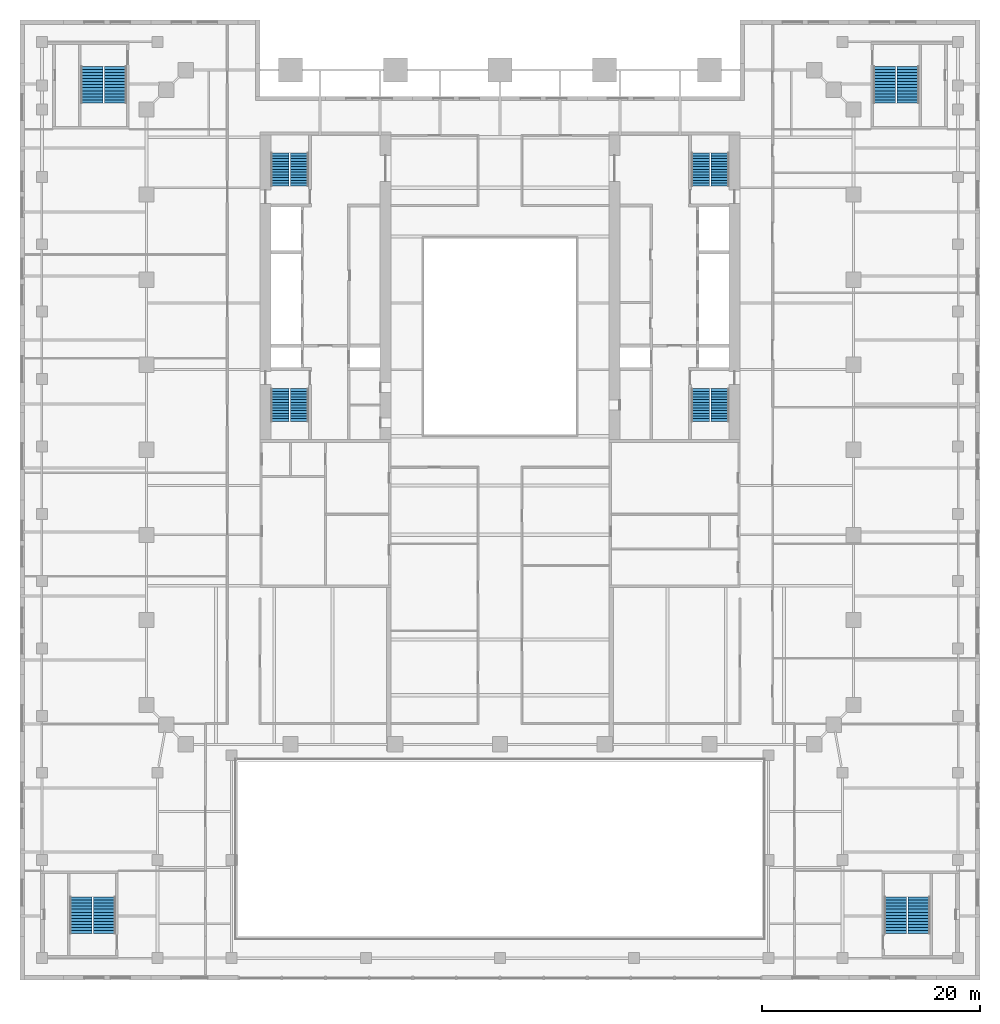
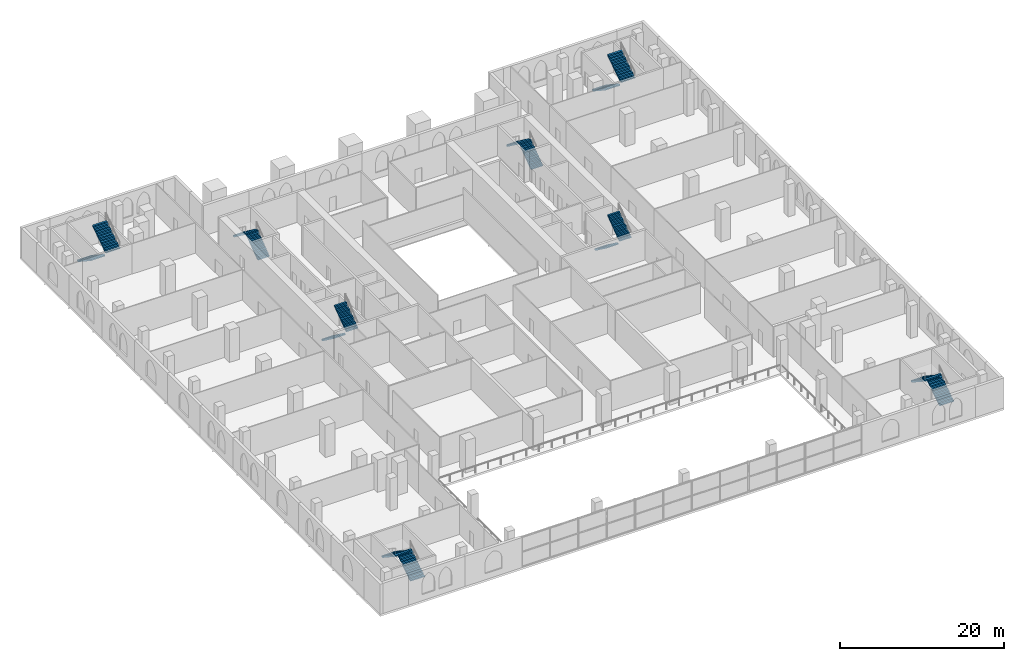
# One storey, part 18 of 19: 16 stair flights, 8 elements without a shape of their own.
"""IFC4 building model written with IfcOpenShell, lengths in metres."""

from ifc_helpers import new_model, si_unit, direction, frame, origin, place, context, subcontext, project, spatial, polyline, outline, extrude, material, type_object, element, aggregate, save


model = new_model("IFC4")

# Units and contexts
model_context = context("Model", 3, precision=1e-05, world=origin(), true_north=direction((0.0, 1.0)))
body_context = subcontext(model_context, "Body", "Model", "MODEL_VIEW")
ifc_project = project(units=[si_unit("LENGTHUNIT", "METRE"), si_unit("AREAUNIT", "SQUARE_METRE"), si_unit("VOLUMEUNIT", "CUBIC_METRE"), si_unit("PLANEANGLEUNIT", "RADIAN"), si_unit("MASSUNIT", "GRAM", prefix="KILO")], contexts=[model_context])

# Site, building, storey
site_placement = place(None, origin())
site = spatial("IfcSite", under=ifc_project, at=site_placement, CompositionType="ELEMENT")
building_placement = place(site_placement, origin())
building = spatial("IfcBuilding", under=site, at=building_placement, Name="Ogive Exchange Tower", CompositionType="ELEMENT")
storey_placement = place(building_placement, frame((0.0, 0.0, 24.0)))
storey = spatial("IfcBuildingStorey", under=building, at=storey_placement, Name="L04", CompositionType="ELEMENT", Elevation=24.0)

# Stair, stair flights
ifc_material = material(Name="Concrete C40/50", Category="concrete")
stair_type_1 = type_object("IfcStairType", Name="Exit stair 1650 wide", PredefinedType="HALF_TURN_STAIR", material=ifc_material)
stair_1_placement = place(storey_placement, origin())
stair_1 = element("IfcStair", 1, at=stair_1_placement, inside=storey, type_object=stair_type_1, Name="L04 exit stair ST1", PredefinedType="HALF_TURN_STAIR")
stair_flight_type_1 = type_object("IfcStairFlightType", Name="Stair flight 1650 wide", PredefinedType="STRAIGHT", material=ifc_material)
stair_flight_1_placement = place(storey_placement, frame((-20.175048828125, 2.199951171875, 0.0), z_axis=(0.0, 0.0, 1.0), x_axis=(0.0, -1.0, 0.0)))
stair_flight_1 = element("IfcStairFlight", 2, at=stair_flight_1_placement, type_object=stair_flight_type_1, Name="ST1 flight 1", NumberOfRisers=13, NumberOfTreads=12, PredefinedType="STRAIGHT", RiserHeight=0.184615385, TreadLength=0.25, context=body_context, shape_type="SweptSolid", body=[
    extrude(outline(polyline([(0.0, 0.0), (0.0, 0.1845703125), (0.25, 0.1845703125), (0.25, 0.369140625), (0.5, 0.369140625), (0.5, 0.553955078125), (0.75, 0.553955078125), (0.75, 0.738525390625), (1.0, 0.738525390625), (1.0, 0.923095703125), (1.25, 0.923095703125), (1.25, 1.107666015625), (1.5, 1.107666015625), (1.5, 1.292236328125), (1.75, 1.292236328125), (1.75, 1.476806640625), (2.0, 1.476806640625), (2.0, 1.66162109375), (2.25, 1.66162109375), (2.25, 1.84619140625), (2.5, 1.84619140625), (2.5, 2.03076171875), (2.75, 2.03076171875), (2.75, 2.21533203125), (3.0, 2.21533203125), (3.0, 2.39990234375), (3.0, 2.029052734375), (0.25244140625, 0.0), (0.0, 0.0)])), frame((0.0, 0.824951171875, 0.0), z_axis=(0.0, -1.0, 0.0), x_axis=(1.0, 0.0, 0.0)), (0.0, 0.0, 1.0), 1.64990234375),
])
stair_flight_2_placement = place(storey_placement, frame((-18.375, -0.800048828125, 2.39990234375), z_axis=(0.0, 0.0, 1.0), x_axis=(0.0, 1.0, 0.0)))
stair_flight_2 = element("IfcStairFlight", 3, at=stair_flight_2_placement, type_object=stair_flight_type_1, Name="ST1 flight 2", NumberOfRisers=13, NumberOfTreads=12, PredefinedType="STRAIGHT", RiserHeight=0.184615385, TreadLength=0.25, context=body_context, shape_type="SweptSolid", body=[
    extrude(outline(polyline([(0.0, 0.0), (0.0, 0.1845703125), (0.25, 0.1845703125), (0.25, 0.369140625), (0.5, 0.369140625), (0.5, 0.553955078125), (0.75, 0.553955078125), (0.75, 0.738525390625), (1.0, 0.738525390625), (1.0, 0.923095703125), (1.25, 0.923095703125), (1.25, 1.107666015625), (1.5, 1.107666015625), (1.5, 1.292236328125), (1.75, 1.292236328125), (1.75, 1.476806640625), (2.0, 1.476806640625), (2.0, 1.66162109375), (2.25, 1.66162109375), (2.25, 1.84619140625), (2.5, 1.84619140625), (2.5, 2.03076171875), (2.75, 2.03076171875), (2.75, 2.21533203125), (3.0, 2.21533203125), (3.0, 2.39990234375), (3.0, 2.029052734375), (0.25244140625, 0.0), (0.0, 0.0)])), frame((0.0, 0.824951171875, 0.0), z_axis=(0.0, -1.0, 0.0), x_axis=(1.0, 0.0, 0.0)), (0.0, 0.0, 1.0), 1.64990234375),
])
aggregate(stair_1, [stair_flight_1, stair_flight_2])

stair_2_placement = place(storey_placement, origin())
stair_2 = element("IfcStair", 4, at=stair_2_placement, inside=storey, type_object=stair_type_1, Name="L04 exit stair ST2", PredefinedType="HALF_TURN_STAIR")
stair_flight_3_placement = place(storey_placement, frame((-18.375, 20.800048828125, 0.0), z_axis=(0.0, 0.0, 1.0), x_axis=(0.0, 1.0, 0.0)))
stair_flight_3 = element("IfcStairFlight", 5, at=stair_flight_3_placement, type_object=stair_flight_type_1, Name="ST2 flight 1", NumberOfRisers=13, NumberOfTreads=12, PredefinedType="STRAIGHT", RiserHeight=0.184615385, TreadLength=0.25, context=body_context, shape_type="SweptSolid", body=[
    extrude(outline(polyline([(0.0, 0.0), (0.0, 0.1845703125), (0.25, 0.1845703125), (0.25, 0.369140625), (0.5, 0.369140625), (0.5, 0.553955078125), (0.75, 0.553955078125), (0.75, 0.738525390625), (1.0, 0.738525390625), (1.0, 0.923095703125), (1.25, 0.923095703125), (1.25, 1.107666015625), (1.5, 1.107666015625), (1.5, 1.292236328125), (1.75, 1.292236328125), (1.75, 1.476806640625), (2.0, 1.476806640625), (2.0, 1.66162109375), (2.25, 1.66162109375), (2.25, 1.84619140625), (2.5, 1.84619140625), (2.5, 2.03076171875), (2.75, 2.03076171875), (2.75, 2.21533203125), (3.0, 2.21533203125), (3.0, 2.39990234375), (3.0, 2.029052734375), (0.25244140625, 0.0), (0.0, 0.0)])), frame((0.0, 0.824951171875, 0.0), z_axis=(0.0, -1.0, 0.0), x_axis=(1.0, 0.0, 0.0)), (0.0, 0.0, 1.0), 1.64990234375),
])
stair_flight_4_placement = place(storey_placement, frame((-20.175048828125, 23.800048828125, 2.39990234375), z_axis=(0.0, 0.0, 1.0), x_axis=(0.0, -1.0, 0.0)))
stair_flight_4 = element("IfcStairFlight", 6, at=stair_flight_4_placement, type_object=stair_flight_type_1, Name="ST2 flight 2", NumberOfRisers=13, NumberOfTreads=12, PredefinedType="STRAIGHT", RiserHeight=0.184615385, TreadLength=0.25, context=body_context, shape_type="SweptSolid", body=[
    extrude(outline(polyline([(0.0, 0.0), (0.0, 0.1845703125), (0.25, 0.1845703125), (0.25, 0.369140625), (0.5, 0.369140625), (0.5, 0.553955078125), (0.75, 0.553955078125), (0.75, 0.738525390625), (1.0, 0.738525390625), (1.0, 0.923095703125), (1.25, 0.923095703125), (1.25, 1.107666015625), (1.5, 1.107666015625), (1.5, 1.292236328125), (1.75, 1.292236328125), (1.75, 1.476806640625), (2.0, 1.476806640625), (2.0, 1.66162109375), (2.25, 1.66162109375), (2.25, 1.84619140625), (2.5, 1.84619140625), (2.5, 2.03076171875), (2.75, 2.03076171875), (2.75, 2.21533203125), (3.0, 2.21533203125), (3.0, 2.39990234375), (3.0, 2.029052734375), (0.25244140625, 0.0), (0.0, 0.0)])), frame((0.0, 0.824951171875, 0.0), z_axis=(0.0, -1.0, 0.0), x_axis=(1.0, 0.0, 0.0)), (0.0, 0.0, 1.0), 1.64990234375),
])
aggregate(stair_2, [stair_flight_3, stair_flight_4])

stair_3_placement = place(storey_placement, origin())
stair_3 = element("IfcStair", 7, at=stair_3_placement, inside=storey, type_object=stair_type_1, Name="L04 exit stair ST3", PredefinedType="HALF_TURN_STAIR")
stair_flight_5_placement = place(storey_placement, frame((18.375, 2.199951171875, 0.0), z_axis=(0.0, 0.0, 1.0), x_axis=(0.0, -1.0, 0.0)))
stair_flight_5 = element("IfcStairFlight", 8, at=stair_flight_5_placement, type_object=stair_flight_type_1, Name="ST3 flight 1", NumberOfRisers=13, NumberOfTreads=12, PredefinedType="STRAIGHT", RiserHeight=0.184615385, TreadLength=0.25, context=body_context, shape_type="SweptSolid", body=[
    extrude(outline(polyline([(0.0, 0.0), (0.0, 0.1845703125), (0.25, 0.1845703125), (0.25, 0.369140625), (0.5, 0.369140625), (0.5, 0.553955078125), (0.75, 0.553955078125), (0.75, 0.738525390625), (1.0, 0.738525390625), (1.0, 0.923095703125), (1.25, 0.923095703125), (1.25, 1.107666015625), (1.5, 1.107666015625), (1.5, 1.292236328125), (1.75, 1.292236328125), (1.75, 1.476806640625), (2.0, 1.476806640625), (2.0, 1.66162109375), (2.25, 1.66162109375), (2.25, 1.84619140625), (2.5, 1.84619140625), (2.5, 2.03076171875), (2.75, 2.03076171875), (2.75, 2.21533203125), (3.0, 2.21533203125), (3.0, 2.39990234375), (3.0, 2.029052734375), (0.25244140625, 0.0), (0.0, 0.0)])), frame((0.0, 0.824951171875, 0.0), z_axis=(0.0, -1.0, 0.0), x_axis=(1.0, 0.0, 0.0)), (0.0, 0.0, 1.0), 1.64990234375),
])
stair_flight_6_placement = place(storey_placement, frame((20.175048828125, -0.800048828125, 2.39990234375), z_axis=(0.0, 0.0, 1.0), x_axis=(0.0, 1.0, 0.0)))
stair_flight_6 = element("IfcStairFlight", 9, at=stair_flight_6_placement, type_object=stair_flight_type_1, Name="ST3 flight 2", NumberOfRisers=13, NumberOfTreads=12, PredefinedType="STRAIGHT", RiserHeight=0.184615385, TreadLength=0.25, context=body_context, shape_type="SweptSolid", body=[
    extrude(outline(polyline([(0.0, 0.0), (0.0, 0.1845703125), (0.25, 0.1845703125), (0.25, 0.369140625), (0.5, 0.369140625), (0.5, 0.553955078125), (0.75, 0.553955078125), (0.75, 0.738525390625), (1.0, 0.738525390625), (1.0, 0.923095703125), (1.25, 0.923095703125), (1.25, 1.107666015625), (1.5, 1.107666015625), (1.5, 1.292236328125), (1.75, 1.292236328125), (1.75, 1.476806640625), (2.0, 1.476806640625), (2.0, 1.66162109375), (2.25, 1.66162109375), (2.25, 1.84619140625), (2.5, 1.84619140625), (2.5, 2.03076171875), (2.75, 2.03076171875), (2.75, 2.21533203125), (3.0, 2.21533203125), (3.0, 2.39990234375), (3.0, 2.029052734375), (0.25244140625, 0.0), (0.0, 0.0)])), frame((0.0, 0.824951171875, 0.0), z_axis=(0.0, -1.0, 0.0), x_axis=(1.0, 0.0, 0.0)), (0.0, 0.0, 1.0), 1.64990234375),
])
aggregate(stair_3, [stair_flight_5, stair_flight_6])

stair_4_placement = place(storey_placement, origin())
stair_4 = element("IfcStair", 10, at=stair_4_placement, inside=storey, type_object=stair_type_1, Name="L04 exit stair ST4", PredefinedType="HALF_TURN_STAIR")
stair_flight_7_placement = place(storey_placement, frame((20.175048828125, 20.800048828125, 0.0), z_axis=(0.0, 0.0, 1.0), x_axis=(0.0, 1.0, 0.0)))
stair_flight_7 = element("IfcStairFlight", 11, at=stair_flight_7_placement, type_object=stair_flight_type_1, Name="ST4 flight 1", NumberOfRisers=13, NumberOfTreads=12, PredefinedType="STRAIGHT", RiserHeight=0.184615385, TreadLength=0.25, context=body_context, shape_type="SweptSolid", body=[
    extrude(outline(polyline([(0.0, 0.0), (0.0, 0.1845703125), (0.25, 0.1845703125), (0.25, 0.369140625), (0.5, 0.369140625), (0.5, 0.553955078125), (0.75, 0.553955078125), (0.75, 0.738525390625), (1.0, 0.738525390625), (1.0, 0.923095703125), (1.25, 0.923095703125), (1.25, 1.107666015625), (1.5, 1.107666015625), (1.5, 1.292236328125), (1.75, 1.292236328125), (1.75, 1.476806640625), (2.0, 1.476806640625), (2.0, 1.66162109375), (2.25, 1.66162109375), (2.25, 1.84619140625), (2.5, 1.84619140625), (2.5, 2.03076171875), (2.75, 2.03076171875), (2.75, 2.21533203125), (3.0, 2.21533203125), (3.0, 2.39990234375), (3.0, 2.029052734375), (0.25244140625, 0.0), (0.0, 0.0)])), frame((0.0, 0.824951171875, 0.0), z_axis=(0.0, -1.0, 0.0), x_axis=(1.0, 0.0, 0.0)), (0.0, 0.0, 1.0), 1.64990234375),
])
stair_flight_8_placement = place(storey_placement, frame((18.375, 23.800048828125, 2.39990234375), z_axis=(0.0, 0.0, 1.0), x_axis=(0.0, -1.0, 0.0)))
stair_flight_8 = element("IfcStairFlight", 12, at=stair_flight_8_placement, type_object=stair_flight_type_1, Name="ST4 flight 2", NumberOfRisers=13, NumberOfTreads=12, PredefinedType="STRAIGHT", RiserHeight=0.184615385, TreadLength=0.25, context=body_context, shape_type="SweptSolid", body=[
    extrude(outline(polyline([(0.0, 0.0), (0.0, 0.1845703125), (0.25, 0.1845703125), (0.25, 0.369140625), (0.5, 0.369140625), (0.5, 0.553955078125), (0.75, 0.553955078125), (0.75, 0.738525390625), (1.0, 0.738525390625), (1.0, 0.923095703125), (1.25, 0.923095703125), (1.25, 1.107666015625), (1.5, 1.107666015625), (1.5, 1.292236328125), (1.75, 1.292236328125), (1.75, 1.476806640625), (2.0, 1.476806640625), (2.0, 1.66162109375), (2.25, 1.66162109375), (2.25, 1.84619140625), (2.5, 1.84619140625), (2.5, 2.03076171875), (2.75, 2.03076171875), (2.75, 2.21533203125), (3.0, 2.21533203125), (3.0, 2.39990234375), (3.0, 2.029052734375), (0.25244140625, 0.0), (0.0, 0.0)])), frame((0.0, 0.824951171875, 0.0), z_axis=(0.0, -1.0, 0.0), x_axis=(1.0, 0.0, 0.0)), (0.0, 0.0, 1.0), 1.64990234375),
])
aggregate(stair_4, [stair_flight_7, stair_flight_8])

stair_type_2 = type_object("IfcStairType", Name="Exit stair 2000 wide", PredefinedType="HALF_TURN_STAIR", material=ifc_material)
stair_5_placement = place(storey_placement, origin())
stair_5 = element("IfcStair", 13, at=stair_5_placement, inside=storey, type_object=stair_type_2, Name="L04 exit stair PS1", PredefinedType="HALF_TURN_STAIR")
stair_flight_type_2 = type_object("IfcStairFlightType", Name="Stair flight 2000 wide", PredefinedType="STRAIGHT", material=ifc_material)
stair_flight_9_placement = place(storey_placement, frame((-36.25, -47.75, 0.0), z_axis=(0.0, 0.0, 1.0), x_axis=(0.0, 1.0, 0.0)))
stair_flight_9 = element("IfcStairFlight", 14, at=stair_flight_9_placement, type_object=stair_flight_type_2, Name="PS1 flight 1", NumberOfRisers=13, NumberOfTreads=12, PredefinedType="STRAIGHT", RiserHeight=0.184615385, TreadLength=0.28, context=body_context, shape_type="SweptSolid", body=[
    extrude(outline(polyline([(0.0, 0.0), (0.0, 0.1845703125), (0.280029296875, 0.1845703125), (0.280029296875, 0.369140625), (0.56005859375, 0.369140625), (0.56005859375, 0.553955078125), (0.840087890625, 0.553955078125), (0.840087890625, 0.738525390625), (1.1201171875, 0.738525390625), (1.1201171875, 0.923095703125), (1.39990234375, 0.923095703125), (1.39990234375, 1.107666015625), (1.679931640625, 1.107666015625), (1.679931640625, 1.292236328125), (1.9599609375, 1.292236328125), (1.9599609375, 1.476806640625), (2.239990234375, 1.476806640625), (2.239990234375, 1.66162109375), (2.52001953125, 1.66162109375), (2.52001953125, 1.84619140625), (2.800048828125, 1.84619140625), (2.800048828125, 2.03076171875), (3.080078125, 2.03076171875), (3.080078125, 2.21533203125), (3.360107421875, 2.21533203125), (3.360107421875, 2.39990234375), (3.360107421875, 2.035888671875), (0.272216796875, 0.0), (0.0, 0.0)])), frame((0.0, 1.0, 0.0), z_axis=(0.0, -1.0, 0.0), x_axis=(1.0, 0.0, 0.0)), (0.0, 0.0, 1.0), 2.0),
])
stair_flight_10_placement = place(storey_placement, frame((-38.39990234375, -44.389892578125, 2.39990234375), z_axis=(0.0, 0.0, 1.0), x_axis=(0.0, -1.0, 0.0)))
stair_flight_10 = element("IfcStairFlight", 15, at=stair_flight_10_placement, type_object=stair_flight_type_2, Name="PS1 flight 2", NumberOfRisers=13, NumberOfTreads=12, PredefinedType="STRAIGHT", RiserHeight=0.184615385, TreadLength=0.28, context=body_context, shape_type="SweptSolid", body=[
    extrude(outline(polyline([(0.0, 0.0), (0.0, 0.1845703125), (0.280029296875, 0.1845703125), (0.280029296875, 0.369140625), (0.56005859375, 0.369140625), (0.56005859375, 0.553955078125), (0.840087890625, 0.553955078125), (0.840087890625, 0.738525390625), (1.1201171875, 0.738525390625), (1.1201171875, 0.923095703125), (1.39990234375, 0.923095703125), (1.39990234375, 1.107666015625), (1.679931640625, 1.107666015625), (1.679931640625, 1.292236328125), (1.9599609375, 1.292236328125), (1.9599609375, 1.476806640625), (2.239990234375, 1.476806640625), (2.239990234375, 1.66162109375), (2.52001953125, 1.66162109375), (2.52001953125, 1.84619140625), (2.800048828125, 1.84619140625), (2.800048828125, 2.03076171875), (3.080078125, 2.03076171875), (3.080078125, 2.21533203125), (3.360107421875, 2.21533203125), (3.360107421875, 2.39990234375), (3.360107421875, 2.035888671875), (0.272216796875, 0.0), (0.0, 0.0)])), frame((0.0, 1.0, 0.0), z_axis=(0.0, -1.0, 0.0), x_axis=(1.0, 0.0, 0.0)), (0.0, 0.0, 1.0), 2.0),
])
aggregate(stair_5, [stair_flight_9, stair_flight_10])

stair_6_placement = place(storey_placement, origin())
stair_6 = element("IfcStair", 16, at=stair_6_placement, inside=storey, type_object=stair_type_2, Name="L04 exit stair PS2", PredefinedType="HALF_TURN_STAIR")
stair_flight_11_placement = place(storey_placement, frame((38.39990234375, -47.75, 0.0), z_axis=(0.0, 0.0, 1.0), x_axis=(0.0, 1.0, 0.0)))
stair_flight_11 = element("IfcStairFlight", 17, at=stair_flight_11_placement, type_object=stair_flight_type_2, Name="PS2 flight 1", NumberOfRisers=13, NumberOfTreads=12, PredefinedType="STRAIGHT", RiserHeight=0.184615385, TreadLength=0.28, context=body_context, shape_type="SweptSolid", body=[
    extrude(outline(polyline([(0.0, 0.0), (0.0, 0.1845703125), (0.280029296875, 0.1845703125), (0.280029296875, 0.369140625), (0.56005859375, 0.369140625), (0.56005859375, 0.553955078125), (0.840087890625, 0.553955078125), (0.840087890625, 0.738525390625), (1.1201171875, 0.738525390625), (1.1201171875, 0.923095703125), (1.39990234375, 0.923095703125), (1.39990234375, 1.107666015625), (1.679931640625, 1.107666015625), (1.679931640625, 1.292236328125), (1.9599609375, 1.292236328125), (1.9599609375, 1.476806640625), (2.239990234375, 1.476806640625), (2.239990234375, 1.66162109375), (2.52001953125, 1.66162109375), (2.52001953125, 1.84619140625), (2.800048828125, 1.84619140625), (2.800048828125, 2.03076171875), (3.080078125, 2.03076171875), (3.080078125, 2.21533203125), (3.360107421875, 2.21533203125), (3.360107421875, 2.39990234375), (3.360107421875, 2.035888671875), (0.272216796875, 0.0), (0.0, 0.0)])), frame((0.0, 1.0, 0.0), z_axis=(0.0, -1.0, 0.0), x_axis=(1.0, 0.0, 0.0)), (0.0, 0.0, 1.0), 2.0),
])
stair_flight_12_placement = place(storey_placement, frame((36.25, -44.389892578125, 2.39990234375), z_axis=(0.0, 0.0, 1.0), x_axis=(0.0, -1.0, 0.0)))
stair_flight_12 = element("IfcStairFlight", 18, at=stair_flight_12_placement, type_object=stair_flight_type_2, Name="PS2 flight 2", NumberOfRisers=13, NumberOfTreads=12, PredefinedType="STRAIGHT", RiserHeight=0.184615385, TreadLength=0.28, context=body_context, shape_type="SweptSolid", body=[
    extrude(outline(polyline([(0.0, 0.0), (0.0, 0.1845703125), (0.280029296875, 0.1845703125), (0.280029296875, 0.369140625), (0.56005859375, 0.369140625), (0.56005859375, 0.553955078125), (0.840087890625, 0.553955078125), (0.840087890625, 0.738525390625), (1.1201171875, 0.738525390625), (1.1201171875, 0.923095703125), (1.39990234375, 0.923095703125), (1.39990234375, 1.107666015625), (1.679931640625, 1.107666015625), (1.679931640625, 1.292236328125), (1.9599609375, 1.292236328125), (1.9599609375, 1.476806640625), (2.239990234375, 1.476806640625), (2.239990234375, 1.66162109375), (2.52001953125, 1.66162109375), (2.52001953125, 1.84619140625), (2.800048828125, 1.84619140625), (2.800048828125, 2.03076171875), (3.080078125, 2.03076171875), (3.080078125, 2.21533203125), (3.360107421875, 2.21533203125), (3.360107421875, 2.39990234375), (3.360107421875, 2.035888671875), (0.272216796875, 0.0), (0.0, 0.0)])), frame((0.0, 1.0, 0.0), z_axis=(0.0, -1.0, 0.0), x_axis=(1.0, 0.0, 0.0)), (0.0, 0.0, 1.0), 2.0),
])
aggregate(stair_6, [stair_flight_11, stair_flight_12])

stair_7_placement = place(storey_placement, origin())
stair_7 = element("IfcStair", 19, at=stair_7_placement, inside=storey, type_object=stair_type_2, Name="L04 exit stair PS3", PredefinedType="HALF_TURN_STAIR")
stair_flight_13_placement = place(storey_placement, frame((-37.39990234375, 31.75, 0.0), z_axis=(0.0, 0.0, 1.0), x_axis=(0.0, -1.0, 0.0)))
stair_flight_13 = element("IfcStairFlight", 20, at=stair_flight_13_placement, type_object=stair_flight_type_2, Name="PS3 flight 1", NumberOfRisers=13, NumberOfTreads=12, PredefinedType="STRAIGHT", RiserHeight=0.184615385, TreadLength=0.28, context=body_context, shape_type="SweptSolid", body=[
    extrude(outline(polyline([(0.0, 0.0), (0.0, 0.1845703125), (0.280029296875, 0.1845703125), (0.280029296875, 0.369140625), (0.56005859375, 0.369140625), (0.56005859375, 0.553955078125), (0.840087890625, 0.553955078125), (0.840087890625, 0.738525390625), (1.1201171875, 0.738525390625), (1.1201171875, 0.923095703125), (1.39990234375, 0.923095703125), (1.39990234375, 1.107666015625), (1.679931640625, 1.107666015625), (1.679931640625, 1.292236328125), (1.9599609375, 1.292236328125), (1.9599609375, 1.476806640625), (2.239990234375, 1.476806640625), (2.239990234375, 1.66162109375), (2.52001953125, 1.66162109375), (2.52001953125, 1.84619140625), (2.800048828125, 1.84619140625), (2.800048828125, 2.03076171875), (3.080078125, 2.03076171875), (3.080078125, 2.21533203125), (3.360107421875, 2.21533203125), (3.360107421875, 2.39990234375), (3.360107421875, 2.035888671875), (0.272216796875, 0.0), (0.0, 0.0)])), frame((0.0, 1.0, 0.0), z_axis=(0.0, -1.0, 0.0), x_axis=(1.0, 0.0, 0.0)), (0.0, 0.0, 1.0), 2.0),
])
stair_flight_14_placement = place(storey_placement, frame((-35.25, 28.389892578125, 2.39990234375), z_axis=(0.0, 0.0, 1.0), x_axis=(0.0, 1.0, 0.0)))
stair_flight_14 = element("IfcStairFlight", 21, at=stair_flight_14_placement, type_object=stair_flight_type_2, Name="PS3 flight 2", NumberOfRisers=13, NumberOfTreads=12, PredefinedType="STRAIGHT", RiserHeight=0.184615385, TreadLength=0.28, context=body_context, shape_type="SweptSolid", body=[
    extrude(outline(polyline([(0.0, 0.0), (0.0, 0.1845703125), (0.280029296875, 0.1845703125), (0.280029296875, 0.369140625), (0.56005859375, 0.369140625), (0.56005859375, 0.553955078125), (0.840087890625, 0.553955078125), (0.840087890625, 0.738525390625), (1.1201171875, 0.738525390625), (1.1201171875, 0.923095703125), (1.39990234375, 0.923095703125), (1.39990234375, 1.107666015625), (1.679931640625, 1.107666015625), (1.679931640625, 1.292236328125), (1.9599609375, 1.292236328125), (1.9599609375, 1.476806640625), (2.239990234375, 1.476806640625), (2.239990234375, 1.66162109375), (2.52001953125, 1.66162109375), (2.52001953125, 1.84619140625), (2.800048828125, 1.84619140625), (2.800048828125, 2.03076171875), (3.080078125, 2.03076171875), (3.080078125, 2.21533203125), (3.360107421875, 2.21533203125), (3.360107421875, 2.39990234375), (3.360107421875, 2.035888671875), (0.272216796875, 0.0), (0.0, 0.0)])), frame((0.0, 1.0, 0.0), z_axis=(0.0, -1.0, 0.0), x_axis=(1.0, 0.0, 0.0)), (0.0, 0.0, 1.0), 2.0),
])
aggregate(stair_7, [stair_flight_13, stair_flight_14])

stair_8_placement = place(storey_placement, origin())
stair_8 = element("IfcStair", 22, at=stair_8_placement, inside=storey, type_object=stair_type_2, Name="L04 exit stair PS4", PredefinedType="HALF_TURN_STAIR")
stair_flight_15_placement = place(storey_placement, frame((35.25, 31.75, 0.0), z_axis=(0.0, 0.0, 1.0), x_axis=(0.0, -1.0, 0.0)))
stair_flight_15 = element("IfcStairFlight", 23, at=stair_flight_15_placement, type_object=stair_flight_type_2, Name="PS4 flight 1", NumberOfRisers=13, NumberOfTreads=12, PredefinedType="STRAIGHT", RiserHeight=0.184615385, TreadLength=0.28, context=body_context, shape_type="SweptSolid", body=[
    extrude(outline(polyline([(0.0, 0.0), (0.0, 0.1845703125), (0.280029296875, 0.1845703125), (0.280029296875, 0.369140625), (0.56005859375, 0.369140625), (0.56005859375, 0.553955078125), (0.840087890625, 0.553955078125), (0.840087890625, 0.738525390625), (1.1201171875, 0.738525390625), (1.1201171875, 0.923095703125), (1.39990234375, 0.923095703125), (1.39990234375, 1.107666015625), (1.679931640625, 1.107666015625), (1.679931640625, 1.292236328125), (1.9599609375, 1.292236328125), (1.9599609375, 1.476806640625), (2.239990234375, 1.476806640625), (2.239990234375, 1.66162109375), (2.52001953125, 1.66162109375), (2.52001953125, 1.84619140625), (2.800048828125, 1.84619140625), (2.800048828125, 2.03076171875), (3.080078125, 2.03076171875), (3.080078125, 2.21533203125), (3.360107421875, 2.21533203125), (3.360107421875, 2.39990234375), (3.360107421875, 2.035888671875), (0.272216796875, 0.0), (0.0, 0.0)])), frame((0.0, 1.0, 0.0), z_axis=(0.0, -1.0, 0.0), x_axis=(1.0, 0.0, 0.0)), (0.0, 0.0, 1.0), 2.0),
])
stair_flight_16_placement = place(storey_placement, frame((37.39990234375, 28.389892578125, 2.39990234375), z_axis=(0.0, 0.0, 1.0), x_axis=(0.0, 1.0, 0.0)))
stair_flight_16 = element("IfcStairFlight", 24, at=stair_flight_16_placement, type_object=stair_flight_type_2, Name="PS4 flight 2", NumberOfRisers=13, NumberOfTreads=12, PredefinedType="STRAIGHT", RiserHeight=0.184615385, TreadLength=0.28, context=body_context, shape_type="SweptSolid", body=[
    extrude(outline(polyline([(0.0, 0.0), (0.0, 0.1845703125), (0.280029296875, 0.1845703125), (0.280029296875, 0.369140625), (0.56005859375, 0.369140625), (0.56005859375, 0.553955078125), (0.840087890625, 0.553955078125), (0.840087890625, 0.738525390625), (1.1201171875, 0.738525390625), (1.1201171875, 0.923095703125), (1.39990234375, 0.923095703125), (1.39990234375, 1.107666015625), (1.679931640625, 1.107666015625), (1.679931640625, 1.292236328125), (1.9599609375, 1.292236328125), (1.9599609375, 1.476806640625), (2.239990234375, 1.476806640625), (2.239990234375, 1.66162109375), (2.52001953125, 1.66162109375), (2.52001953125, 1.84619140625), (2.800048828125, 1.84619140625), (2.800048828125, 2.03076171875), (3.080078125, 2.03076171875), (3.080078125, 2.21533203125), (3.360107421875, 2.21533203125), (3.360107421875, 2.39990234375), (3.360107421875, 2.035888671875), (0.272216796875, 0.0), (0.0, 0.0)])), frame((0.0, 1.0, 0.0), z_axis=(0.0, -1.0, 0.0), x_axis=(1.0, 0.0, 0.0)), (0.0, 0.0, 1.0), 2.0),
])
aggregate(stair_8, [stair_flight_15, stair_flight_16])

save(model, "model.ifc")
